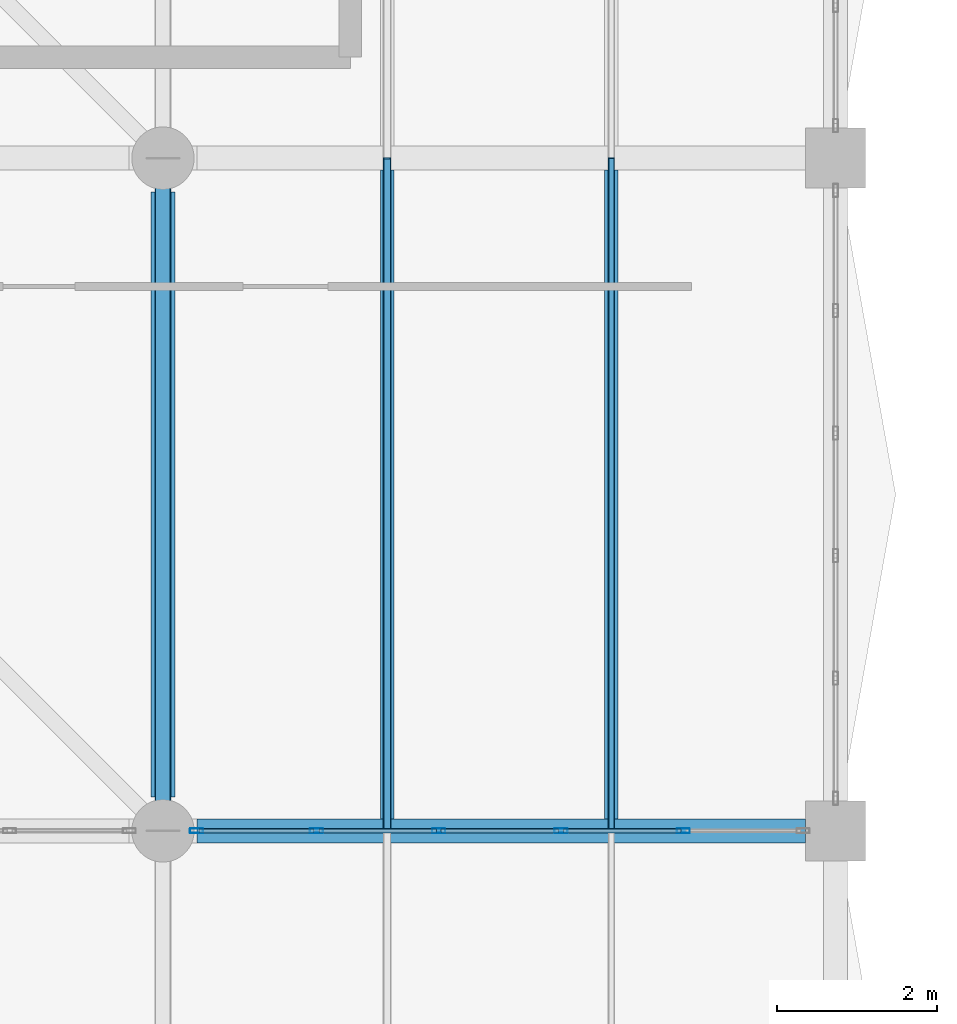
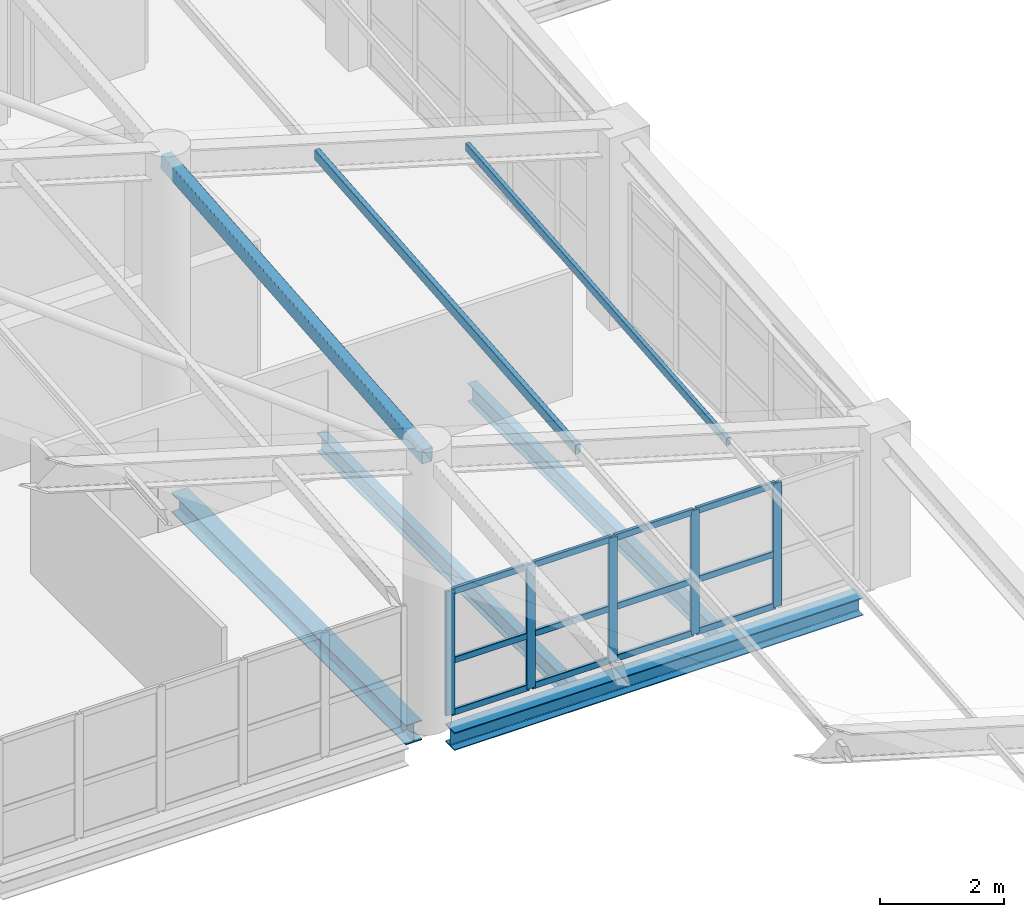
# One storey, part 33 of 95: 20 members, 4 beams, 1 element without a shape of its own.
"""IFC4 building model written with IfcOpenShell, lengths in metres."""

from ifc_helpers import new_model, si_unit, direction, frame, origin, origin_2d, place, context, subcontext, project, spatial, hollow_rectangle, i_section, extrude, material, layer, layer_set, material_profile, profile_set, type_object, element, aggregate, save


model = new_model("IFC4")

# Units and contexts
model_context = context("Model", 3, precision=1e-05, world=origin(), true_north=direction((0.0, 1.0)))
body_context = subcontext(model_context, "Body", "Model", "MODEL_VIEW")
ifc_project = project(units=[si_unit("LENGTHUNIT", "METRE"), si_unit("AREAUNIT", "SQUARE_METRE"), si_unit("VOLUMEUNIT", "CUBIC_METRE"), si_unit("PLANEANGLEUNIT", "RADIAN"), si_unit("MASSUNIT", "GRAM", prefix="KILO"), si_unit("THERMODYNAMICTEMPERATUREUNIT", "KELVIN"), si_unit("POWERUNIT", "WATT")], contexts=[model_context])

# Site, building, storey
site_placement = place(None, origin())
site = spatial("IfcSite", under=ifc_project, at=site_placement, CompositionType="ELEMENT")
building_placement = place(site_placement, origin())
building = spatial("IfcBuilding", under=site, at=building_placement, Name="Mavoryth Pier Ferry Terminal", CompositionType="ELEMENT")
storey_placement = place(building_placement, frame((0.0, 0.0, 9.60009765625)))
storey = spatial("IfcBuildingStorey", under=building, at=storey_placement, Name="L02", CompositionType="ELEMENT", Elevation=9.60009765625)

# Beam
ifc_material_1 = material(Name="Steel S355J2", Category="steel")
ifc_material_profile_1 = material_profile(ifc_material_1, i_section(OverallWidth=0.300048828125, OverallDepth=0.389892578125, WebThickness=0.010986328125, FlangeThickness=0.01904296875, FilletRadius=0.027099609375, at=origin_2d()), Name="HEA 400", Category="steel")
ifc_profile_set_1 = profile_set([ifc_material_profile_1], Name="Steel S355J2 - HEA 400")
beam_type_1 = type_object("IfcBeamType", Name="Beam-Steel-HEA400", PredefinedType="BEAM", material=ifc_profile_set_1)
beam_1_placement = place(storey_placement, frame((25.199951171875, 72.824951171875, -0.47509765625), z_axis=(0.0, 1.0, 0.0), x_axis=(-1.0, 0.0, 0.0)))
element("IfcBeam", 1, at=beam_1_placement, inside=storey, type_object=beam_type_1, Name="Beam B02-SB04-0643", PredefinedType="BEAM", context=body_context, shape_type="SweptSolid", body=[
    extrude(i_section(OverallWidth=0.300048828125, OverallDepth=0.389892578125, WebThickness=0.010986328125, FlangeThickness=0.01904296875, FilletRadius=0.027099609375, at=origin_2d()), origin(), (0.0, 0.0, 1.0), 7.550048828125),
])

# Member
ifc_material_profile_2 = material_profile(ifc_material_1, hollow_rectangle(XDim=0.199951171875, YDim=0.300048828125, WallThickness=0.012451171875, InnerFilletRadius=0.012451171875, OuterFilletRadius=0.02490234375, at=origin_2d()), Name="RHS 300x200x12.5", Category="steel")
ifc_profile_set_2 = profile_set([ifc_material_profile_2], Name="Steel S355J2 - RHS 300x200x12.5")
member_type_1 = type_object("IfcMemberType", Name="Chord-Edge-RHS300", PredefinedType="CHORD", material=ifc_profile_set_2)
member_1_placement = place(storey_placement, frame((25.199951171875, 72.39990234375, 5.2275390625), z_axis=(0.0, 0.996403523637, 0.084734987362), x_axis=(-1.0, 0.0, 0.0)))
element("IfcMember", 2, at=member_1_placement, inside=storey, type_object=member_type_1, Name="Steel Member MB-L02-0119", PredefinedType="CHORD", context=body_context, shape_type="SweptSolid", body=[
    extrude(hollow_rectangle(XDim=0.199951171875, YDim=0.300048828125, WallThickness=0.012451171875, InnerFilletRadius=0.012451171875, OuterFilletRadius=0.02490234375, at=origin_2d()), origin(), (0.0, 0.0, 1.0), 8.430419921875),
])

# Beams
ifc_material_profile_3 = material_profile(ifc_material_1, i_section(OverallWidth=0.169921875, OverallDepth=0.360107421875, WebThickness=0.008056640625, FlangeThickness=0.0126953125, FilletRadius=0.01806640625, at=origin_2d()), Name="IPE 360", Category="steel")
ifc_profile_set_3 = profile_set([ifc_material_profile_3], Name="Steel S355J2 - IPE 360")
beam_type_2 = type_object("IfcBeamType", Name="Joist-Steel-IPE360", PredefinedType="JOIST", material=ifc_profile_set_3)
for number, where, z_axis, x_axis, name in (
    (3, (28.0, 72.550048828125, -0.460205078125), (0.0, 1.0, 0.0), (-1.0, 0.0, 0.0), "Beam B02-SJ02-0677"),
    (4, (30.800048828125, 72.550048828125, -0.460205078125), (0.0, 1.0, 0.0), (-1.0, 0.0, 0.0), "Beam B02-SJ02-0678"),
):
    element("IfcBeam", number, at=place(storey_placement, frame(where, z_axis=z_axis, x_axis=x_axis)), inside=storey, type_object=beam_type_2, Name=name, PredefinedType="JOIST", context=body_context, shape_type="SweptSolid", body=[
        extrude(i_section(OverallWidth=0.169921875, OverallDepth=0.360107421875, WebThickness=0.008056640625, FlangeThickness=0.0126953125, FilletRadius=0.01806640625, at=origin_2d()), origin(), (0.0, 0.0, 1.0), 8.099853515625),
    ])

# Curtain wall, members
ifc_material_2 = material(Name="Anodised Aluminium and Solar-Control Low-E Glass", Category="aluminium")
ifc_layer = layer(ifc_material_2, 0.179931640625, Name="Anodised Aluminium and Solar-Control Low-E Glass", Category="aluminium")
ifc_layer_set = layer_set([ifc_layer], Name="Anodised Aluminium and Solar-Control Low-E Glass - CW-Concourse-Mod1400")
curtain_wall_type = type_object("IfcCurtainWallType", Name="CW-Concourse-Mod1400", PredefinedType="USERDEFINED", material=ifc_layer_set)
curtain_wall_placement = place(storey_placement, origin())
curtain_wall = element("IfcCurtainWall", 5, at=curtain_wall_placement, inside=storey, type_object=curtain_wall_type, Name="Curtain Wall CW-0222-049", ObjectType="UNITISED CURTAIN WALL", PredefinedType="USERDEFINED")
ifc_material_3 = material(Name="Anodised Aluminium EN AW-6063", Category="aluminium")
ifc_material_profile_4 = material_profile(ifc_material_3, hollow_rectangle(XDim=0.06005859375, YDim=0.1650390625, WallThickness=0.00390625, InnerFilletRadius=0.00390625, OuterFilletRadius=0.008056640625, at=origin_2d()), Name="AL-MULL 165x60x4", Category="aluminium")
ifc_profile_set_4 = profile_set([ifc_material_profile_4], Name="Anodised Aluminium EN AW-6063 - AL-MULL 165x60x4")
member_type_2 = type_object("IfcMemberType", Name="Mullion-Alum-165x60", PredefinedType="MULLION", material=ifc_profile_set_4)
member_2_placement = place(storey_placement, frame((25.6201171875, 72.39990234375, 0.0), z_axis=(0.0, 0.0, 1.0), x_axis=(0.0, 1.0, 0.0)))
member_2 = element("IfcMember", 6, at=member_2_placement, type_object=member_type_2, Name="CW01 mullion 1", PredefinedType="MULLION", context=body_context, shape_type="SweptSolid", body=[
    extrude(hollow_rectangle(XDim=0.06005859375, YDim=0.1650390625, WallThickness=0.00390625, InnerFilletRadius=0.00390625, OuterFilletRadius=0.008056640625, at=origin_2d()), origin(), (0.0, 0.0, 1.0), 2.435791015625),
])
member_3_placement = place(storey_placement, frame((27.116943359375, 72.39990234375, 0.0), z_axis=(0.0, 0.0, 1.0), x_axis=(0.0, 1.0, 0.0)))
member_3 = element("IfcMember", 7, at=member_3_placement, type_object=member_type_2, Name="CW01 mullion 2", PredefinedType="MULLION", context=body_context, shape_type="SweptSolid", body=[
    extrude(hollow_rectangle(XDim=0.06005859375, YDim=0.1650390625, WallThickness=0.00390625, InnerFilletRadius=0.00390625, OuterFilletRadius=0.008056640625, at=origin_2d()), origin(), (0.0, 0.0, 1.0), 2.435791015625),
])
member_4_placement = place(storey_placement, frame((28.64404296875, 72.39990234375, 0.0), z_axis=(0.0, 0.0, 1.0), x_axis=(0.0, 1.0, 0.0)))
member_4 = element("IfcMember", 8, at=member_4_placement, type_object=member_type_2, Name="CW01 mullion 3", PredefinedType="MULLION", context=body_context, shape_type="SweptSolid", body=[
    extrude(hollow_rectangle(XDim=0.06005859375, YDim=0.1650390625, WallThickness=0.00390625, InnerFilletRadius=0.00390625, OuterFilletRadius=0.008056640625, at=origin_2d()), origin(), (0.0, 0.0, 1.0), 2.435791015625),
])
member_5_placement = place(storey_placement, frame((30.1708984375, 72.39990234375, 0.0), z_axis=(0.0, 0.0, 1.0), x_axis=(0.0, 1.0, 0.0)))
member_5 = element("IfcMember", 9, at=member_5_placement, type_object=member_type_2, Name="CW01 mullion 4", PredefinedType="MULLION", context=body_context, shape_type="SweptSolid", body=[
    extrude(hollow_rectangle(XDim=0.06005859375, YDim=0.1650390625, WallThickness=0.00390625, InnerFilletRadius=0.00390625, OuterFilletRadius=0.008056640625, at=origin_2d()), origin(), (0.0, 0.0, 1.0), 2.435791015625),
])
member_6_placement = place(storey_placement, frame((31.697998046875, 72.39990234375, 0.0), z_axis=(0.0, 0.0, 1.0), x_axis=(0.0, 1.0, 0.0)))
member_6 = element("IfcMember", 10, at=member_6_placement, type_object=member_type_2, Name="CW01 mullion 5", PredefinedType="MULLION", context=body_context, shape_type="SweptSolid", body=[
    extrude(hollow_rectangle(XDim=0.06005859375, YDim=0.1650390625, WallThickness=0.00390625, InnerFilletRadius=0.00390625, OuterFilletRadius=0.008056640625, at=origin_2d()), origin(), (0.0, 0.0, 1.0), 2.435791015625),
])

# Members
ifc_material_profile_5 = material_profile(ifc_material_1, hollow_rectangle(XDim=0.080078125, YDim=0.159912109375, WallThickness=0.00634765625, InnerFilletRadius=0.00634765625, OuterFilletRadius=0.0126953125, at=origin_2d()), Name="RHS 160x80x6.3", Category="steel")
ifc_profile_set_5 = profile_set([ifc_material_profile_5], Name="Steel S355J2 - RHS 160x80x6.3")
member_type_3 = type_object("IfcMemberType", Name="Purlin-Tube-RHS160", PredefinedType="PURLIN", material=ifc_profile_set_5)
member_7_placement = place(storey_placement, frame((30.800048828125, 72.39990234375, 3.5419921875), z_axis=(0.0, 0.996403523637, 0.084734987362), x_axis=(-1.0, 0.0, 0.0)))
element("IfcMember", 11, at=member_7_placement, inside=storey, type_object=member_type_3, Name="Steel Member MB-L02-0127", PredefinedType="PURLIN", context=body_context, shape_type="SweptSolid", body=[
    extrude(hollow_rectangle(XDim=0.080078125, YDim=0.159912109375, WallThickness=0.00634765625, InnerFilletRadius=0.00634765625, OuterFilletRadius=0.0126953125, at=origin_2d()), origin(), (0.0, 0.0, 1.0), 8.430419921875),
])
ifc_material_profile_6 = material_profile(ifc_material_1, hollow_rectangle(XDim=0.10009765625, YDim=0.199951171875, WallThickness=0.008056640625, InnerFilletRadius=0.008056640625, OuterFilletRadius=0.01611328125, at=origin_2d()), Name="RHS 200x100x8.0", Category="steel")
ifc_profile_set_6 = profile_set([ifc_material_profile_6], Name="Steel S355J2 - RHS 200x100x8.0")
member_type_4 = type_object("IfcMemberType", Name="Purlin-Tube-RHS200", PredefinedType="PURLIN", material=ifc_profile_set_6)
member_8_placement = place(storey_placement, frame((28.0, 72.39990234375, 4.374755859375), z_axis=(0.0, 0.996403523637, 0.084734987362), x_axis=(-1.0, 0.0, 0.0)))
element("IfcMember", 12, at=member_8_placement, inside=storey, type_object=member_type_4, Name="Steel Member MB-L02-0126", PredefinedType="PURLIN", context=body_context, shape_type="SweptSolid", body=[
    extrude(hollow_rectangle(XDim=0.10009765625, YDim=0.199951171875, WallThickness=0.008056640625, InnerFilletRadius=0.008056640625, OuterFilletRadius=0.01611328125, at=origin_2d()), origin(), (0.0, 0.0, 1.0), 8.430419921875),
])

# Beam
ifc_material_profile_7 = material_profile(ifc_material_1, i_section(OverallWidth=0.300048828125, OverallDepth=0.35009765625, WebThickness=0.010009765625, FlangeThickness=0.017578125, FilletRadius=0.027099609375, at=origin_2d()), Name="HEA 360", Category="steel")
ifc_profile_set_7 = profile_set([ifc_material_profile_7], Name="Steel S355J2 - HEA 360")
beam_type_3 = type_object("IfcBeamType", Name="Spandrel-Steel-HEA360", PredefinedType="SPANDREL", material=ifc_profile_set_7)
beam_2_placement = place(storey_placement, frame((25.625, 72.39990234375, -0.455078125), z_axis=(1.0, 0.0, 0.0), x_axis=(0.0, 1.0, 0.0)))
element("IfcBeam", 13, at=beam_2_placement, inside=storey, type_object=beam_type_3, Name="Beam B02-SP03-0607", PredefinedType="SPANDREL", context=body_context, shape_type="SweptSolid", body=[
    extrude(i_section(OverallWidth=0.300048828125, OverallDepth=0.35009765625, WebThickness=0.010009765625, FlangeThickness=0.017578125, FilletRadius=0.027099609375, at=origin_2d()), origin(), (0.0, 0.0, 1.0), 7.60009765625),
])

# Member
ifc_material_profile_8 = material_profile(ifc_material_3, hollow_rectangle(XDim=0.06005859375, YDim=0.125, WallThickness=0.00390625, InnerFilletRadius=0.00390625, OuterFilletRadius=0.008056640625, at=origin_2d()), Name="AL-TRAN 125x60x4", Category="aluminium")
ifc_profile_set_8 = profile_set([ifc_material_profile_8], Name="Anodised Aluminium EN AW-6063 - AL-TRAN 125x60x4")
member_type_5 = type_object("IfcMemberType", Name="Transom-Alum-125x60", PredefinedType="USERDEFINED", material=ifc_profile_set_8)
member_9_placement = place(storey_placement, frame((25.64990234375, 72.39990234375, 0.02978515625), z_axis=(1.0, 0.0, 0.0), x_axis=(0.0, 1.0, 0.0)))
member_9 = element("IfcMember", 14, at=member_9_placement, type_object=member_type_5, Name="CW01 transom 1.1", ObjectType="TRANSOM", PredefinedType="USERDEFINED", context=body_context, shape_type="SweptSolid", body=[
    extrude(hollow_rectangle(XDim=0.06005859375, YDim=0.125, WallThickness=0.00390625, InnerFilletRadius=0.00390625, OuterFilletRadius=0.008056640625, at=origin_2d()), origin(), (0.0, 0.0, 1.0), 1.43701171875),
])

member_10_placement = place(storey_placement, frame((25.64990234375, 72.39990234375, 1.0498046875), z_axis=(1.0, 0.0, 0.0), x_axis=(0.0, 1.0, 0.0)))
member_10 = element("IfcMember", 15, at=member_10_placement, type_object=member_type_5, Name="CW01 transom 1.2", ObjectType="TRANSOM", PredefinedType="USERDEFINED", context=body_context, shape_type="SweptSolid", body=[
    extrude(hollow_rectangle(XDim=0.06005859375, YDim=0.125, WallThickness=0.00390625, InnerFilletRadius=0.00390625, OuterFilletRadius=0.008056640625, at=origin_2d()), origin(), (0.0, 0.0, 1.0), 1.43701171875),
])

member_11_placement = place(storey_placement, frame((25.64990234375, 72.39990234375, 2.406005859375), z_axis=(1.0, 0.0, 0.0), x_axis=(0.0, 1.0, 0.0)))
member_11 = element("IfcMember", 16, at=member_11_placement, type_object=member_type_5, Name="CW01 transom 1.3", ObjectType="TRANSOM", PredefinedType="USERDEFINED", context=body_context, shape_type="SweptSolid", body=[
    extrude(hollow_rectangle(XDim=0.06005859375, YDim=0.125, WallThickness=0.00390625, InnerFilletRadius=0.00390625, OuterFilletRadius=0.008056640625, at=origin_2d()), origin(), (0.0, 0.0, 1.0), 1.43701171875),
])

member_12_placement = place(storey_placement, frame((27.14697265625, 72.39990234375, 0.02978515625), z_axis=(1.0, 0.0, 0.0), x_axis=(0.0, 1.0, 0.0)))
member_12 = element("IfcMember", 17, at=member_12_placement, type_object=member_type_5, Name="CW01 transom 2.1", ObjectType="TRANSOM", PredefinedType="USERDEFINED", context=body_context, shape_type="SweptSolid", body=[
    extrude(hollow_rectangle(XDim=0.06005859375, YDim=0.125, WallThickness=0.00390625, InnerFilletRadius=0.00390625, OuterFilletRadius=0.008056640625, at=origin_2d()), origin(), (0.0, 0.0, 1.0), 1.467041015625),
])

member_13_placement = place(storey_placement, frame((27.14697265625, 72.39990234375, 1.0498046875), z_axis=(1.0, 0.0, 0.0), x_axis=(0.0, 1.0, 0.0)))
member_13 = element("IfcMember", 18, at=member_13_placement, type_object=member_type_5, Name="CW01 transom 2.2", ObjectType="TRANSOM", PredefinedType="USERDEFINED", context=body_context, shape_type="SweptSolid", body=[
    extrude(hollow_rectangle(XDim=0.06005859375, YDim=0.125, WallThickness=0.00390625, InnerFilletRadius=0.00390625, OuterFilletRadius=0.008056640625, at=origin_2d()), origin(), (0.0, 0.0, 1.0), 1.467041015625),
])

member_14_placement = place(storey_placement, frame((27.14697265625, 72.39990234375, 2.406005859375), z_axis=(1.0, 0.0, 0.0), x_axis=(0.0, 1.0, 0.0)))
member_14 = element("IfcMember", 19, at=member_14_placement, type_object=member_type_5, Name="CW01 transom 2.3", ObjectType="TRANSOM", PredefinedType="USERDEFINED", context=body_context, shape_type="SweptSolid", body=[
    extrude(hollow_rectangle(XDim=0.06005859375, YDim=0.125, WallThickness=0.00390625, InnerFilletRadius=0.00390625, OuterFilletRadius=0.008056640625, at=origin_2d()), origin(), (0.0, 0.0, 1.0), 1.467041015625),
])

member_15_placement = place(storey_placement, frame((28.674072265625, 72.39990234375, 0.02978515625), z_axis=(1.0, 0.0, 0.0), x_axis=(0.0, 1.0, 0.0)))
member_15 = element("IfcMember", 20, at=member_15_placement, type_object=member_type_5, Name="CW01 transom 3.1", ObjectType="TRANSOM", PredefinedType="USERDEFINED", context=body_context, shape_type="SweptSolid", body=[
    extrude(hollow_rectangle(XDim=0.06005859375, YDim=0.125, WallThickness=0.00390625, InnerFilletRadius=0.00390625, OuterFilletRadius=0.008056640625, at=origin_2d()), origin(), (0.0, 0.0, 1.0), 1.467041015625),
])

member_16_placement = place(storey_placement, frame((28.674072265625, 72.39990234375, 1.0498046875), z_axis=(1.0, 0.0, 0.0), x_axis=(0.0, 1.0, 0.0)))
member_16 = element("IfcMember", 21, at=member_16_placement, type_object=member_type_5, Name="CW01 transom 3.2", ObjectType="TRANSOM", PredefinedType="USERDEFINED", context=body_context, shape_type="SweptSolid", body=[
    extrude(hollow_rectangle(XDim=0.06005859375, YDim=0.125, WallThickness=0.00390625, InnerFilletRadius=0.00390625, OuterFilletRadius=0.008056640625, at=origin_2d()), origin(), (0.0, 0.0, 1.0), 1.467041015625),
])

member_17_placement = place(storey_placement, frame((28.674072265625, 72.39990234375, 2.406005859375), z_axis=(1.0, 0.0, 0.0), x_axis=(0.0, 1.0, 0.0)))
member_17 = element("IfcMember", 22, at=member_17_placement, type_object=member_type_5, Name="CW01 transom 3.3", ObjectType="TRANSOM", PredefinedType="USERDEFINED", context=body_context, shape_type="SweptSolid", body=[
    extrude(hollow_rectangle(XDim=0.06005859375, YDim=0.125, WallThickness=0.00390625, InnerFilletRadius=0.00390625, OuterFilletRadius=0.008056640625, at=origin_2d()), origin(), (0.0, 0.0, 1.0), 1.467041015625),
])

member_18_placement = place(storey_placement, frame((30.200927734375, 72.39990234375, 0.02978515625), z_axis=(1.0, 0.0, 0.0), x_axis=(0.0, 1.0, 0.0)))
member_18 = element("IfcMember", 23, at=member_18_placement, type_object=member_type_5, Name="CW01 transom 4.1", ObjectType="TRANSOM", PredefinedType="USERDEFINED", context=body_context, shape_type="SweptSolid", body=[
    extrude(hollow_rectangle(XDim=0.06005859375, YDim=0.125, WallThickness=0.00390625, InnerFilletRadius=0.00390625, OuterFilletRadius=0.008056640625, at=origin_2d()), origin(), (0.0, 0.0, 1.0), 1.467041015625),
])

member_19_placement = place(storey_placement, frame((30.200927734375, 72.39990234375, 1.0498046875), z_axis=(1.0, 0.0, 0.0), x_axis=(0.0, 1.0, 0.0)))
member_19 = element("IfcMember", 24, at=member_19_placement, type_object=member_type_5, Name="CW01 transom 4.2", ObjectType="TRANSOM", PredefinedType="USERDEFINED", context=body_context, shape_type="SweptSolid", body=[
    extrude(hollow_rectangle(XDim=0.06005859375, YDim=0.125, WallThickness=0.00390625, InnerFilletRadius=0.00390625, OuterFilletRadius=0.008056640625, at=origin_2d()), origin(), (0.0, 0.0, 1.0), 1.467041015625),
])

member_20_placement = place(storey_placement, frame((30.200927734375, 72.39990234375, 2.406005859375), z_axis=(1.0, 0.0, 0.0), x_axis=(0.0, 1.0, 0.0)))
member_20 = element("IfcMember", 25, at=member_20_placement, type_object=member_type_5, Name="CW01 transom 4.3", ObjectType="TRANSOM", PredefinedType="USERDEFINED", context=body_context, shape_type="SweptSolid", body=[
    extrude(hollow_rectangle(XDim=0.06005859375, YDim=0.125, WallThickness=0.00390625, InnerFilletRadius=0.00390625, OuterFilletRadius=0.008056640625, at=origin_2d()), origin(), (0.0, 0.0, 1.0), 1.467041015625),
])

aggregate(curtain_wall, [member_2, member_3, member_4, member_5, member_6, member_9, member_10, member_11, member_12, member_13, member_14, member_15, member_16, member_17, member_18, member_19, member_20])

save(model, "model.ifc")
